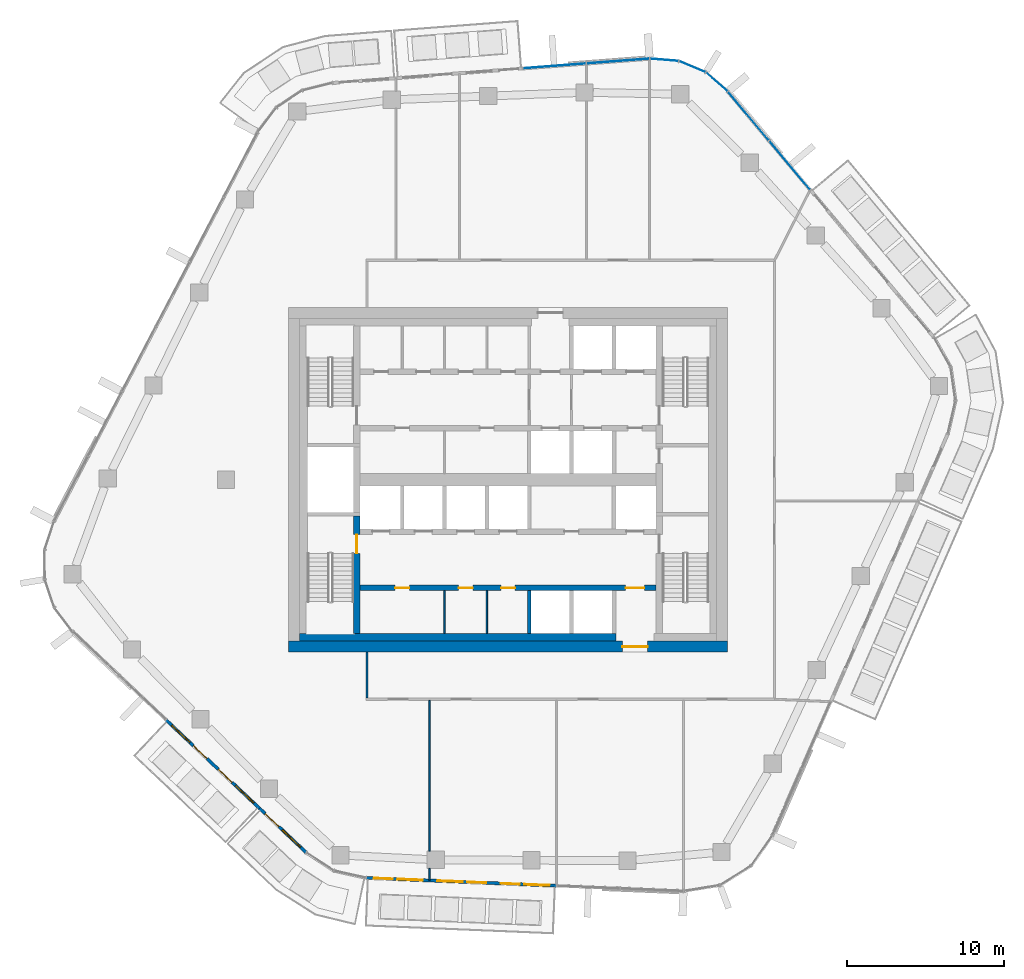
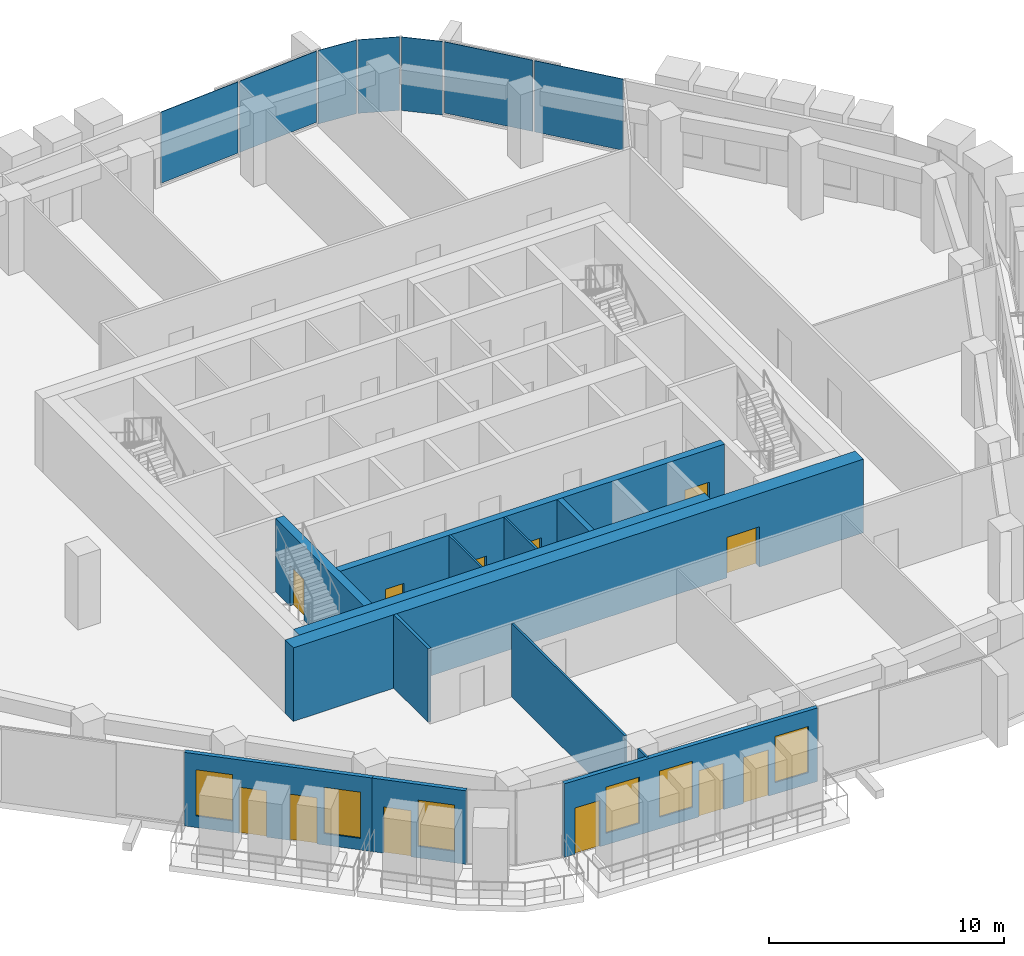
# One storey, part 10 of 20: 13 walls, 12 doors, 7 plates, 6 windows, 18 openings, 3 elements without a shape of their own.
"""IFC4 building model written with IfcOpenShell, lengths in metres."""

from ifc_helpers import new_model, si_unit, direction, frame, frame_2d, origin, origin_2d, place, context, subcontext, project, spatial, rectangle, extrude, material, layer, layer_set, type_object, element, fill, aggregate, save


model = new_model("IFC4")

# Units and contexts
model_context = context("Model", 3, precision=1e-05, world=origin(), true_north=direction((0.0, 1.0)))
body_context = subcontext(model_context, "Body", "Model", "MODEL_VIEW")
ifc_project = project(units=[si_unit("LENGTHUNIT", "METRE"), si_unit("AREAUNIT", "SQUARE_METRE"), si_unit("VOLUMEUNIT", "CUBIC_METRE"), si_unit("PLANEANGLEUNIT", "RADIAN"), si_unit("MASSUNIT", "GRAM", prefix="KILO")], contexts=[model_context])

# Site, building, storey
site_placement = place(None, origin())
site = spatial("IfcSite", under=ifc_project, at=site_placement, CompositionType="ELEMENT")
building_placement = place(site_placement, origin())
building = spatial("IfcBuilding", under=site, at=building_placement, Name="Dongbaek Canopy Tower", CompositionType="ELEMENT")
storey_placement = place(building_placement, frame((0.0, 0.0, 245.39990234375)))
storey = spatial("IfcBuildingStorey", under=building, at=storey_placement, Name="L51", CompositionType="ELEMENT", Elevation=245.39990234375)

# Curtain wall, plates
ifc_material_1 = material(Name="Aluminium 6063-T6 pale anodised", Category="aluminium")
ifc_layer_1 = layer(ifc_material_1, 0.199951171875)
ifc_layer_set_1 = layer_set([ifc_layer_1], Name="CW-1 unitised tower curtain wall")
curtain_wall_type = type_object("IfcCurtainWallType", Name="CW-1 unitised tower curtain wall", PredefinedType="NOTDEFINED", material=ifc_layer_set_1)
curtain_wall_1_placement = place(storey_placement, origin())
curtain_wall_1 = element("IfcCurtainWall", 1, at=curtain_wall_1_placement, inside=storey, type_object=curtain_wall_type, Name="CW-1 curtain wall F0.1", PredefinedType="NOTDEFINED")
ifc_material_2 = material(Name="Clear laminated glass", Category="glass")
ifc_layer_2 = layer(ifc_material_2, 0.028076171875)
ifc_layer_set_2 = layer_set([ifc_layer_2], Name="CW-1 glazed panel 28")
plate_type = type_object("IfcPlateType", Name="CW-1 glazed panel 28", PredefinedType="CURTAIN_PANEL", material=ifc_layer_set_2)
plate_1_placement = place(storey_placement, frame((17.961669921875, 20.06689453125, 0.1201171875), z_axis=(0.0, 0.0, 1.0), x_axis=(-0.64239310834, 0.766375296025, 0.0)))
plate_1 = element("IfcPlate", 2, at=plate_1_placement, type_object=plate_type, Name="CW-1 panel F0.1.1.1", PredefinedType="CURTAIN_PANEL", context=body_context, shape_type="SweptSolid", body=[
    extrude(rectangle(XDim=4.0107421875, YDim=0.028076171875, at=origin_2d()), origin(), (0.0, 0.0, 1.0), 3.699951171875),
])
plate_2_placement = place(storey_placement, frame((15.333984375, 23.201904296875, 0.1201171875), z_axis=(0.0, 0.0, 1.0), x_axis=(-0.64239310834, 0.766375296025, 0.0)))
plate_2 = element("IfcPlate", 3, at=plate_2_placement, type_object=plate_type, Name="CW-1 panel F0.1.2.1", PredefinedType="CURTAIN_PANEL", context=body_context, shape_type="SweptSolid", body=[
    extrude(rectangle(XDim=4.002685546875, YDim=0.028076171875, at=origin_2d()), origin(), (0.0, 0.0, 1.0), 3.699951171875),
])
aggregate(curtain_wall_1, [plate_1, plate_2])

curtain_wall_2_placement = place(storey_placement, origin())
curtain_wall_2 = element("IfcCurtainWall", 4, at=curtain_wall_2_placement, inside=storey, type_object=curtain_wall_type, Name="CW-1 curtain wall K1.1", PredefinedType="NOTDEFINED")
plate_3_placement = place(storey_placement, frame((13.316162109375, 25.3798828125, 0.0), z_axis=(0.0, 0.0, 1.0), x_axis=(-0.755169247449, 0.655529867899, 0.0)))
plate_3 = element("IfcPlate", 5, at=plate_3_placement, type_object=plate_type, Name="CW-1 panel K1.1.1.1", PredefinedType="CURTAIN_PANEL", context=body_context, shape_type="SweptSolid", body=[
    extrude(rectangle(XDim=1.78369140625, YDim=0.028076171875, at=origin_2d()), origin(), (0.0, 0.0, 1.0), 3.820068359375),
])
plate_4_placement = place(storey_placement, frame((11.753662109375, 26.352783203125, 0.0), z_axis=(0.0, 0.0, 1.0), x_axis=(-0.921724317139, 0.387845695084, 0.0)))
plate_4 = element("IfcPlate", 6, at=plate_4_placement, type_object=plate_type, Name="CW-1 panel K1.1.2.1", PredefinedType="CURTAIN_PANEL", context=body_context, shape_type="SweptSolid", body=[
    extrude(rectangle(XDim=1.775634765625, YDim=0.028076171875, at=origin_2d()), origin(), (0.0, 0.0, 1.0), 3.820068359375),
])
plate_5_placement = place(storey_placement, frame((9.966064453125, 26.78955078125, 0.0), z_axis=(0.0, 0.0, 1.0), x_axis=(-0.996664222618, 0.081611441315, 0.0)))
plate_5 = element("IfcPlate", 7, at=plate_5_placement, type_object=plate_type, Name="CW-1 panel K1.1.3.1", PredefinedType="CURTAIN_PANEL", context=body_context, shape_type="SweptSolid", body=[
    extrude(rectangle(XDim=1.78369140625, YDim=0.028076171875, at=origin_2d()), origin(), (0.0, 0.0, 1.0), 3.820068359375),
])
aggregate(curtain_wall_2, [plate_3, plate_4, plate_5])

curtain_wall_3_placement = place(storey_placement, origin())
curtain_wall_3 = element("IfcCurtainWall", 8, at=curtain_wall_3_placement, inside=storey, type_object=curtain_wall_type, Name="CW-1 curtain wall F1.1", PredefinedType="NOTDEFINED")
plate_6_placement = place(storey_placement, frame((7.0146484375, 26.710693359375, 0.1201171875), z_axis=(0.0, 0.0, 1.0), x_axis=(-0.997068179949, -0.076518262748, 0.0)))
plate_6 = element("IfcPlate", 9, at=plate_6_placement, type_object=plate_type, Name="CW-1 panel F1.1.1.1", PredefinedType="CURTAIN_PANEL", context=body_context, shape_type="SweptSolid", body=[
    extrude(rectangle(XDim=3.968994140625, YDim=0.028076171875, at=origin_2d()), origin(), (0.0, 0.0, 1.0), 3.699951171875),
])
plate_7_placement = place(storey_placement, frame((2.969482421875, 26.400390625, 0.1201171875), z_axis=(0.0, 0.0, 1.0), x_axis=(-0.997068179949, -0.076518262748, 0.0)))
plate_7 = element("IfcPlate", 10, at=plate_7_placement, type_object=plate_type, Name="CW-1 panel F1.1.2.1", PredefinedType="CURTAIN_PANEL", context=body_context, shape_type="SweptSolid", body=[
    extrude(rectangle(XDim=3.97705078125, YDim=0.028076171875, at=origin_2d()), origin(), (0.0, 0.0, 1.0), 3.699951171875),
])
aggregate(curtain_wall_3, [plate_6, plate_7])

# Wall, openings, doors
ifc_material_3 = material(Name="Concrete C60/75", Category="concrete")
ifc_layer_3 = layer(ifc_material_3, 0.35009765625)
ifc_layer_set_3 = layer_set([ifc_layer_3], Name="Core lobby wall 350 Concrete C60/75")
wall_type_1 = type_object("IfcWallType", Name="Core lobby wall 350 Concrete C60/75", PredefinedType="SHEAR", material=ifc_layer_set_3)
wall_1_placement = place(storey_placement, frame((9.449951171875, -6.89990234375, 0.0), z_axis=(0.0, 0.0, 1.0), x_axis=(-1.0, 0.0, 0.0)))
wall_1 = element("IfcWall", 11, at=wall_1_placement, inside=storey, type_object=wall_type_1, Name="Core wall", PredefinedType="SHEAR", context=body_context, shape_type="SweptSolid", body=[
    extrude(rectangle(XDim=18.89990234375, YDim=0.35009765625, at=frame_2d((9.449951171875, 0.0))), origin(), (0.0, 0.0, 1.0), 3.820068359375),
])
opening_1_placement = place(wall_1_placement, frame((0.75, 0.0, 0.0)))
opening_1 = element("IfcOpeningElement", 12, at=opening_1_placement, cuts=wall_1, Name="Opening L51-D025", PredefinedType="OPENING", context=body_context, shape_type="SweptSolid", body=[
    extrude(rectangle(XDim=1.199951171875, YDim=2.10009765625, at=frame_2d((0.60009765625, 1.050048828125))), frame((0.0, 0.18505859375, 0.0), z_axis=(0.0, -1.0, 0.0), x_axis=(1.0, 0.0, 0.0)), (0.0, 0.0, 1.0), 0.3701171875),
])
opening_2_placement = place(wall_1_placement, frame((15.75, 0.0, 0.0)))
opening_2 = element("IfcOpeningElement", 13, at=opening_2_placement, cuts=wall_1, Name="Opening L51-D033", PredefinedType="OPENING", context=body_context, shape_type="SweptSolid", body=[
    extrude(rectangle(XDim=0.89990234375, YDim=2.10009765625, at=frame_2d((0.449951171875, 1.050048828125))), frame((0.0, 0.18505859375, 0.0), z_axis=(0.0, -1.0, 0.0), x_axis=(1.0, 0.0, 0.0)), (0.0, 0.0, 1.0), 0.3701171875),
])
opening_3_placement = place(wall_1_placement, frame((11.699951171875, 0.0, 0.0)))
opening_3 = element("IfcOpeningElement", 14, at=opening_3_placement, cuts=wall_1, Name="Opening L51-D034", PredefinedType="OPENING", context=body_context, shape_type="SweptSolid", body=[
    extrude(rectangle(XDim=0.89990234375, YDim=2.10009765625, at=frame_2d((0.449951171875, 1.050048828125))), frame((0.0, 0.18505859375, 0.0), z_axis=(0.0, -1.0, 0.0), x_axis=(1.0, 0.0, 0.0)), (0.0, 0.0, 1.0), 0.3701171875),
])
opening_4_placement = place(wall_1_placement, frame((9.0, 0.0, 0.0)))
opening_4 = element("IfcOpeningElement", 15, at=opening_4_placement, cuts=wall_1, Name="Opening L51-D035", PredefinedType="OPENING", context=body_context, shape_type="SweptSolid", body=[
    extrude(rectangle(XDim=0.89990234375, YDim=2.10009765625, at=frame_2d((0.449951171875, 1.050048828125))), frame((0.0, 0.18505859375, 0.0), z_axis=(0.0, -1.0, 0.0), x_axis=(1.0, 0.0, 0.0)), (0.0, 0.0, 1.0), 0.3701171875),
])
ifc_material_4 = material(Name="Steel", Category="steel")
door_type_1 = type_object("IfcDoorType", Name="Core room door 900 x 2100", OperationType="SINGLE_SWING_LEFT", PredefinedType="DOOR", material=ifc_material_4)
door_1_placement = place(opening_2_placement, origin())
door_1 = element("IfcDoor", 16, at=door_1_placement, inside=storey, type_object=door_type_1, Name="Door L51-D033", OperationType="SINGLE_SWING_LEFT", OverallHeight=2.10009765625, OverallWidth=0.89990234375, PredefinedType="DOOR", context=body_context, shape_type="SweptSolid", body=[
    extrude(rectangle(XDim=0.89990234375, YDim=2.10009765625, at=frame_2d((0.449951171875, 1.050048828125))), frame((0.0, 0.02490234375, 0.0), z_axis=(0.0, -1.0, 0.0), x_axis=(1.0, 0.0, 0.0)), (0.0, 0.0, 1.0), 0.050048828125),
])
fill(opening_2, door_1)
door_2_placement = place(opening_3_placement, origin())
door_2 = element("IfcDoor", 17, at=door_2_placement, inside=storey, type_object=door_type_1, Name="Door L51-D034", OperationType="SINGLE_SWING_RIGHT", OverallHeight=2.10009765625, OverallWidth=0.89990234375, PredefinedType="DOOR", context=body_context, shape_type="SweptSolid", body=[
    extrude(rectangle(XDim=0.89990234375, YDim=2.10009765625, at=frame_2d((0.449951171875, 1.050048828125))), frame((0.0, 0.02490234375, 0.0), z_axis=(0.0, -1.0, 0.0), x_axis=(1.0, 0.0, 0.0)), (0.0, 0.0, 1.0), 0.050048828125),
])
fill(opening_3, door_2)
door_3_placement = place(opening_4_placement, origin())
door_3 = element("IfcDoor", 18, at=door_3_placement, inside=storey, type_object=door_type_1, Name="Door L51-D035", OperationType="SINGLE_SWING_LEFT", OverallHeight=2.10009765625, OverallWidth=0.89990234375, PredefinedType="DOOR", context=body_context, shape_type="SweptSolid", body=[
    extrude(rectangle(XDim=0.89990234375, YDim=2.10009765625, at=frame_2d((0.449951171875, 1.050048828125))), frame((0.0, 0.02490234375, 0.0), z_axis=(0.0, -1.0, 0.0), x_axis=(1.0, 0.0, 0.0)), (0.0, 0.0, 1.0), 0.050048828125),
])
fill(opening_4, door_3)
ifc_material_5 = material(Name="Steel", Category="steel")
door_type_2 = type_object("IfcDoorType", Name="Fire lobby door 1200 x 2100", OperationType="SINGLE_SWING_LEFT", PredefinedType="DOOR", material=ifc_material_5)
door_4_placement = place(opening_1_placement, origin())
door_4 = element("IfcDoor", 19, at=door_4_placement, inside=storey, type_object=door_type_2, Name="Door L51-D025", OperationType="SINGLE_SWING_LEFT", OverallHeight=2.10009765625, OverallWidth=1.199951171875, PredefinedType="DOOR", context=body_context, shape_type="SweptSolid", body=[
    extrude(rectangle(XDim=1.199951171875, YDim=2.10009765625, at=frame_2d((0.60009765625, 1.050048828125))), frame((0.0, 0.02490234375, 0.0), z_axis=(0.0, -1.0, 0.0), x_axis=(1.0, 0.0, 0.0)), (0.0, 0.0, 1.0), 0.050048828125),
])
fill(opening_1, door_4)

# Wall, opening, door
ifc_material_6 = material(Name="Concrete C70/85", Category="concrete")
ifc_layer_4 = layer(ifc_material_6, 0.699951171875)
ifc_layer_set_4 = layer_set([ifc_layer_4], Name="Core outer wall 700 Concrete C70/85")
wall_type_2 = type_object("IfcWallType", Name="Core outer wall 700 Concrete C70/85", PredefinedType="SHEAR", material=ifc_layer_set_4)
wall_2_placement = place(storey_placement, frame((14.0, -10.64990234375, 0.0), z_axis=(0.0, 0.0, 1.0), x_axis=(-1.0, 0.0, 0.0)))
wall_2 = element("IfcWall", 20, at=wall_2_placement, inside=storey, type_object=wall_type_2, Name="Core wall", PredefinedType="SHEAR", context=body_context, shape_type="SweptSolid", body=[
    extrude(rectangle(XDim=28.0, YDim=0.699951171875, at=frame_2d((14.0, 0.0))), origin(), (0.0, 0.0, 1.0), 3.820068359375),
])
opening_5_placement = place(wall_2_placement, frame((5.10009765625, 0.0, 0.0)))
opening_5 = element("IfcOpeningElement", 21, at=opening_5_placement, cuts=wall_2, Name="Opening L51-D024", PredefinedType="OPENING", context=body_context, shape_type="SweptSolid", body=[
    extrude(rectangle(XDim=1.60009765625, YDim=2.10009765625, at=frame_2d((0.800048828125, 1.050048828125))), frame((0.0, 0.35986328125, 0.0), z_axis=(0.0, -1.0, 0.0), x_axis=(1.0, 0.0, 0.0)), (0.0, 0.0, 1.0), 0.719970703125),
])
ifc_material_7 = material(Name="Steel", Category="steel")
door_type_3 = type_object("IfcDoorType", Name="Core exit door 1600 x 2100", OperationType="DOUBLE_DOOR_SINGLE_SWING", PredefinedType="DOOR", material=ifc_material_7)
door_5_placement = place(opening_5_placement, origin())
door_5 = element("IfcDoor", 22, at=door_5_placement, inside=storey, type_object=door_type_3, Name="Core exit door", OperationType="DOUBLE_DOOR_SINGLE_SWING", OverallHeight=2.10009765625, OverallWidth=1.60009765625, PredefinedType="DOOR", context=body_context, shape_type="SweptSolid", body=[
    extrude(rectangle(XDim=1.60009765625, YDim=2.10009765625, at=frame_2d((0.800048828125, 1.050048828125))), frame((0.0, 0.02490234375, 0.0), z_axis=(0.0, -1.0, 0.0), x_axis=(1.0, 0.0, 0.0)), (0.0, 0.0, 1.0), 0.050048828125),
])
fill(opening_5, door_5)

# Walls
ifc_material_8 = material(Name="Concrete C60/75", Category="concrete")
ifc_layer_5 = layer(ifc_material_8, 0.5)
ifc_layer_set_5 = layer_set([ifc_layer_5], Name="Core wall lining 500 Concrete C60/75")
wall_type_3 = type_object("IfcWallType", Name="Core wall lining 500 Concrete C60/75", PredefinedType="SHEAR", material=ifc_layer_set_5)
wall_3_placement = place(storey_placement, frame((6.89990234375, -10.050048828125, 0.0), z_axis=(0.0, 0.0, 1.0), x_axis=(-1.0, 0.0, 0.0)))
element("IfcWall", 23, at=wall_3_placement, inside=storey, type_object=wall_type_3, Name="Core wall lining", PredefinedType="SHEAR", context=body_context, shape_type="SweptSolid", body=[
    extrude(rectangle(XDim=20.199951171875, YDim=0.5, at=frame_2d((10.10009765625, 0.0))), origin(), (0.0, 0.0, 1.0), 3.820068359375),
])
ifc_material_9 = material(Name="Gypsum board partition, steel stud, 2 x 15 mm fire board", Category="steel")
ifc_layer_6 = layer(ifc_material_9, 0.14990234375)
ifc_layer_set_6 = layer_set([ifc_layer_6], Name="Fire-rated partition 150 gypsum board")
wall_type_4 = type_object("IfcWallType", Name="Fire-rated partition 150 gypsum board", PredefinedType="PARTITIONING", material=ifc_layer_set_6)
wall_4_placement = place(storey_placement, frame((-9.0, -13.925048828125, 0.0), z_axis=(0.0, 0.0, 1.0), x_axis=(0.0, 1.0, 0.0)))
element("IfcWall", 24, at=wall_4_placement, inside=storey, type_object=wall_type_4, Name="Corridor partition", PredefinedType="PARTITIONING", context=body_context, shape_type="SweptSolid", body=[
    extrude(rectangle(XDim=2.925048828125, YDim=0.14990234375, at=frame_2d((1.46240234375, 0.0))), origin(), (0.0, 0.0, 1.0), 3.820068359375),
])
ifc_material_10 = material(Name="Concrete C40/50", Category="concrete")
ifc_layer_7 = layer(ifc_material_10, 0.25)
ifc_layer_set_7 = layer_set([ifc_layer_7], Name="Lift shaft wall 250 Concrete C40/50")
wall_type_5 = type_object("IfcWallType", Name="Lift shaft wall 250 Concrete C40/50", PredefinedType="SOLIDWALL", material=ifc_layer_set_7)
wall_5_placement = place(storey_placement, frame((1.35009765625, -9.800048828125, 0.0), z_axis=(0.0, 0.0, 1.0), x_axis=(0.0, 1.0, 0.0)))
element("IfcWall", 25, at=wall_5_placement, inside=storey, type_object=wall_type_5, Name="Lift shaft wall", PredefinedType="SOLIDWALL", context=body_context, shape_type="SweptSolid", body=[
    extrude(rectangle(XDim=2.72509765625, YDim=0.25, at=frame_2d((1.362548828125, 0.0))), origin(), (0.0, 0.0, 1.0), 3.820068359375),
])
ifc_material_11 = material(Name="Gypsum board partition, steel stud, 2 x 12.5 mm board", Category="steel")
ifc_layer_8 = layer(ifc_material_11, 0.10009765625)
ifc_layer_set_8 = layer_set([ifc_layer_8], Name="Partition 100 gypsum board")
wall_type_6 = type_object("IfcWallType", Name="Partition 100 gypsum board", PredefinedType="PARTITIONING", material=ifc_layer_set_8)
wall_6_placement = place(storey_placement, frame((-5.001953125, -25.54296875, 0.0), z_axis=(0.0, 0.0, 1.0), x_axis=(0.0, 1.0, 0.0)))
element("IfcWall", 26, at=wall_6_placement, inside=storey, type_object=wall_type_6, Name="Partition", PredefinedType="PARTITIONING", context=body_context, shape_type="SweptSolid", body=[
    extrude(rectangle(XDim=0.7470703125, YDim=0.10009765625, at=frame_2d((0.37353515625, 0.0))), origin(), (0.0, 0.0, 1.0), 3.820068359375),
])
wall_7_placement = place(storey_placement, frame((-5.001953125, -23.696044921875, 0.0), z_axis=(0.0, 0.0, 1.0), x_axis=(0.0, 1.0, 0.0)))
element("IfcWall", 27, at=wall_7_placement, inside=storey, type_object=wall_type_6, Name="Partition", PredefinedType="PARTITIONING", context=body_context, shape_type="SweptSolid", body=[
    extrude(rectangle(XDim=9.62109375, YDim=0.10009765625, at=frame_2d((4.810546875, 0.0))), origin(), (0.0, 0.0, 1.0), 3.820068359375),
])
for number, where, z_axis, x_axis, name in (
    (28, (-1.35009765625, -9.800048828125, 0.0), (0.0, 0.0, 1.0), (0.0, 1.0, 0.0), "Core partition"),
    (29, (-4.050048828125, -9.800048828125, 0.0), (0.0, 0.0, 1.0), (0.0, 1.0, 0.0), "Core partition"),
):
    element("IfcWall", number, at=place(storey_placement, frame(where, z_axis=z_axis, x_axis=x_axis)), inside=storey, type_object=wall_type_6, Name=name, PredefinedType="PARTITIONING", context=body_context, shape_type="SweptSolid", body=[
        extrude(rectangle(XDim=2.72509765625, YDim=0.10009765625, at=frame_2d((1.362548828125, 0.0))), origin(), (0.0, 0.0, 1.0), 3.820068359375),
    ])

# Wall, opening, door
ifc_material_12 = material(Name="Concrete C60/75", Category="concrete")
ifc_layer_9 = layer(ifc_material_12, 0.39990234375)
ifc_layer_set_9 = layer_set([ifc_layer_9], Name="Stair wall 400 Concrete C60/75")
wall_type_7 = type_object("IfcWallType", Name="Stair wall 400 Concrete C60/75", PredefinedType="SHEAR", material=ifc_layer_set_9)
wall_8_placement = place(storey_placement, frame((-9.64990234375, -9.800048828125, 0.0), z_axis=(0.0, 0.0, 1.0), x_axis=(0.0, 1.0, 0.0)))
wall_8 = element("IfcWall", 30, at=wall_8_placement, inside=storey, type_object=wall_type_7, Name="Stair wall", PredefinedType="SHEAR", context=body_context, shape_type="SweptSolid", body=[
    extrude(rectangle(XDim=7.5, YDim=0.39990234375, at=frame_2d((3.75, 0.0))), origin(), (0.0, 0.0, 1.0), 3.820068359375),
])
opening_6_placement = place(wall_8_placement, frame((5.10009765625, 0.0, 0.0)))
opening_6 = element("IfcOpeningElement", 31, at=opening_6_placement, cuts=wall_8, Name="Opening L51-D039", PredefinedType="OPENING", context=body_context, shape_type="SweptSolid", body=[
    extrude(rectangle(XDim=1.199951171875, YDim=2.10009765625, at=frame_2d((0.60009765625, 1.050048828125))), frame((0.0, 0.2099609375, 0.0), z_axis=(0.0, -1.0, 0.0), x_axis=(1.0, 0.0, 0.0)), (0.0, 0.0, 1.0), 0.419921875),
])
ifc_material_13 = material(Name="Steel", Category="steel")
door_type_4 = type_object("IfcDoorType", Name="Stair door 1200 x 2100", OperationType="SINGLE_SWING_LEFT", PredefinedType="DOOR", material=ifc_material_13)
door_6_placement = place(opening_6_placement, origin())
door_6 = element("IfcDoor", 32, at=door_6_placement, inside=storey, type_object=door_type_4, Name="Stair D door", OperationType="SINGLE_SWING_LEFT", OverallHeight=2.10009765625, OverallWidth=1.199951171875, PredefinedType="DOOR", context=body_context, shape_type="SweptSolid", body=[
    extrude(rectangle(XDim=1.199951171875, YDim=2.10009765625, at=frame_2d((0.60009765625, 1.050048828125))), frame((0.0, 0.02490234375, 0.0), z_axis=(0.0, -1.0, 0.0), x_axis=(1.0, 0.0, 0.0)), (0.0, 0.0, 1.0), 0.050048828125),
])
fill(opening_6, door_6)

# Wall, openings, doors, windows
ifc_material_14 = material(Name="Aluminium window wall", Category="aluminium")
ifc_layer_10 = layer(ifc_material_14, 0.199951171875)
ifc_layer_set_10 = layer_set([ifc_layer_10], Name="Window wall 200")
wall_type_8 = type_object("IfcWallType", Name="Window wall 200", PredefinedType="SOLIDWALL", material=ifc_layer_set_10)
wall_9_placement = place(storey_placement, frame((-21.822998046875, -15.315185546875, 0.0), z_axis=(0.0, 0.0, 1.0), x_axis=(0.72637578777, -0.68729776294, 0.0)))
wall_9 = element("IfcWall", 33, at=wall_9_placement, inside=storey, type_object=wall_type_8, Name="Window wall L51 3", PredefinedType="SOLIDWALL", context=body_context, shape_type="SweptSolid", body=[
    extrude(rectangle(XDim=8.215576171875, YDim=0.199951171875, at=frame_2d((4.10791015625, 0.0))), origin(), (0.0, 0.0, 1.0), 3.820068359375),
])
opening_7_placement = place(wall_9_placement, frame((0.5, 0.0, 0.60009765625)))
opening_7 = element("IfcOpeningElement", 34, at=opening_7_placement, cuts=wall_9, Name="Opening W1", PredefinedType="OPENING", context=body_context, shape_type="SweptSolid", body=[
    extrude(rectangle(XDim=1.60009765625, YDim=2.39990234375, at=frame_2d((0.800048828125, 1.199951171875))), frame((0.0, 0.10986328125, 0.0), z_axis=(0.0, -1.0, 0.0), x_axis=(1.0, 0.0, 0.0)), (0.0, 0.0, 1.0), 0.219970703125),
])
opening_8_placement = place(wall_9_placement, frame((2.39990234375, 0.0, 0.0)))
opening_8 = element("IfcOpeningElement", 35, at=opening_8_placement, cuts=wall_9, Name="Opening L51-B07", PredefinedType="OPENING", context=body_context, shape_type="SweptSolid", body=[
    extrude(rectangle(XDim=1.199951171875, YDim=2.39990234375, at=frame_2d((0.60009765625, 1.199951171875))), frame((0.0, 0.10986328125, 0.0), z_axis=(0.0, -1.0, 0.0), x_axis=(1.0, 0.0, 0.0)), (0.0, 0.0, 1.0), 0.219970703125),
])
opening_9_placement = place(wall_9_placement, frame((6.107666015625, 0.0, 0.60009765625)))
opening_9 = element("IfcOpeningElement", 36, at=opening_9_placement, cuts=wall_9, Name="Opening W1", PredefinedType="OPENING", context=body_context, shape_type="SweptSolid", body=[
    extrude(rectangle(XDim=1.60009765625, YDim=2.39990234375, at=frame_2d((0.800048828125, 1.199951171875))), frame((0.0, 0.10986328125, 0.0), z_axis=(0.0, -1.0, 0.0), x_axis=(1.0, 0.0, 0.0)), (0.0, 0.0, 1.0), 0.219970703125),
])
opening_10_placement = place(wall_9_placement, frame((4.607666015625, 0.0, 0.0)))
opening_10 = element("IfcOpeningElement", 37, at=opening_10_placement, cuts=wall_9, Name="Opening L51-B08", PredefinedType="OPENING", context=body_context, shape_type="SweptSolid", body=[
    extrude(rectangle(XDim=1.199951171875, YDim=2.39990234375, at=frame_2d((0.60009765625, 1.199951171875))), frame((0.0, 0.10986328125, 0.0), z_axis=(0.0, -1.0, 0.0), x_axis=(1.0, 0.0, 0.0)), (0.0, 0.0, 1.0), 0.219970703125),
])
ifc_material_15 = material(Name="Clear glazing in aluminium frame", Category="aluminium")
door_type_5 = type_object("IfcDoorType", Name="Balcony door BD1 1200 x 2400", OperationType="SLIDING_TO_LEFT", PredefinedType="DOOR", material=ifc_material_15)
door_7_placement = place(opening_8_placement, origin())
door_7 = element("IfcDoor", 38, at=door_7_placement, inside=storey, type_object=door_type_5, Name="Balcony door L51-B07", OperationType="SLIDING_TO_LEFT", OverallHeight=2.39990234375, OverallWidth=1.199951171875, PredefinedType="DOOR", context=body_context, shape_type="SweptSolid", body=[
    extrude(rectangle(XDim=1.199951171875, YDim=2.39990234375, at=frame_2d((0.60009765625, 1.199951171875))), frame((0.0, 0.02490234375, 0.0), z_axis=(0.0, -1.0, 0.0), x_axis=(1.0, 0.0, 0.0)), (0.0, 0.0, 1.0), 0.050048828125),
])
fill(opening_8, door_7)
door_8_placement = place(opening_10_placement, origin())
door_8 = element("IfcDoor", 39, at=door_8_placement, inside=storey, type_object=door_type_5, Name="Balcony door L51-B08", OperationType="SLIDING_TO_LEFT", OverallHeight=2.39990234375, OverallWidth=1.199951171875, PredefinedType="DOOR", context=body_context, shape_type="SweptSolid", body=[
    extrude(rectangle(XDim=1.199951171875, YDim=2.39990234375, at=frame_2d((0.60009765625, 1.199951171875))), frame((0.0, 0.02490234375, 0.0), z_axis=(0.0, -1.0, 0.0), x_axis=(1.0, 0.0, 0.0)), (0.0, 0.0, 1.0), 0.050048828125),
])
fill(opening_10, door_8)
ifc_material_16 = material(Name="Clear glazing in aluminium frame", Category="aluminium")
window_type = type_object("IfcWindowType", Name="Window W1 1600 x 2400", PartitioningType="SINGLE_PANEL", PredefinedType="WINDOW", material=ifc_material_16)
window_1_placement = place(opening_7_placement, origin())
window_1 = element("IfcWindow", 40, at=window_1_placement, inside=storey, type_object=window_type, Name="Window L51 3.1", OverallHeight=2.39990234375, OverallWidth=1.60009765625, PartitioningType="SINGLE_PANEL", PredefinedType="WINDOW", context=body_context, shape_type="SweptSolid", body=[
    extrude(rectangle(XDim=1.60009765625, YDim=2.39990234375, at=frame_2d((0.800048828125, 1.199951171875))), frame((0.0, 0.030029296875, 0.0), z_axis=(0.0, -1.0, 0.0), x_axis=(1.0, 0.0, 0.0)), (0.0, 0.0, 1.0), 0.06005859375),
])
fill(opening_7, window_1)
window_2_placement = place(opening_9_placement, origin())
window_2 = element("IfcWindow", 41, at=window_2_placement, inside=storey, type_object=window_type, Name="Window L51 3.2", OverallHeight=2.39990234375, OverallWidth=1.60009765625, PartitioningType="SINGLE_PANEL", PredefinedType="WINDOW", context=body_context, shape_type="SweptSolid", body=[
    extrude(rectangle(XDim=1.60009765625, YDim=2.39990234375, at=frame_2d((0.800048828125, 1.199951171875))), frame((0.0, 0.030029296875, 0.0), z_axis=(0.0, -1.0, 0.0), x_axis=(1.0, 0.0, 0.0)), (0.0, 0.0, 1.0), 0.06005859375),
])
fill(opening_9, window_2)

# Wall, openings, door, window
wall_10_placement = place(storey_placement, frame((-15.85546875, -20.961669921875, 0.0), z_axis=(0.0, 0.0, 1.0), x_axis=(0.726345438905, -0.687329835946, 0.0)))
wall_10 = element("IfcWall", 42, at=wall_10_placement, inside=storey, type_object=wall_type_8, Name="Window wall L51 8", PredefinedType="SOLIDWALL", context=body_context, shape_type="SweptSolid", body=[
    extrude(rectangle(XDim=4.0986328125, YDim=0.199951171875, at=frame_2d((2.04931640625, 0.0))), origin(), (0.0, 0.0, 1.0), 3.820068359375),
])
opening_11_placement = place(wall_10_placement, frame((2.0, 0.0, 0.60009765625)))
opening_11 = element("IfcOpeningElement", 43, at=opening_11_placement, cuts=wall_10, Name="Opening W1", PredefinedType="OPENING", context=body_context, shape_type="SweptSolid", body=[
    extrude(rectangle(XDim=1.60009765625, YDim=2.39990234375, at=frame_2d((0.800048828125, 1.199951171875))), frame((0.0, 0.10986328125, 0.0), z_axis=(0.0, -1.0, 0.0), x_axis=(1.0, 0.0, 0.0)), (0.0, 0.0, 1.0), 0.219970703125),
])
opening_12_placement = place(wall_10_placement, frame((0.5, 0.0, 0.0)))
opening_12 = element("IfcOpeningElement", 44, at=opening_12_placement, cuts=wall_10, Name="Opening L51-B09", PredefinedType="OPENING", context=body_context, shape_type="SweptSolid", body=[
    extrude(rectangle(XDim=1.199951171875, YDim=2.39990234375, at=frame_2d((0.60009765625, 1.199951171875))), frame((0.0, 0.10986328125, 0.0), z_axis=(0.0, -1.0, 0.0), x_axis=(1.0, 0.0, 0.0)), (0.0, 0.0, 1.0), 0.219970703125),
])
door_9_placement = place(opening_12_placement, origin())
door_9 = element("IfcDoor", 45, at=door_9_placement, inside=storey, type_object=door_type_5, Name="Balcony door L51-B09", OperationType="SLIDING_TO_LEFT", OverallHeight=2.39990234375, OverallWidth=1.199951171875, PredefinedType="DOOR", context=body_context, shape_type="SweptSolid", body=[
    extrude(rectangle(XDim=1.199951171875, YDim=2.39990234375, at=frame_2d((0.60009765625, 1.199951171875))), frame((0.0, 0.02490234375, 0.0), z_axis=(0.0, -1.0, 0.0), x_axis=(1.0, 0.0, 0.0)), (0.0, 0.0, 1.0), 0.050048828125),
])
fill(opening_12, door_9)
window_3_placement = place(opening_11_placement, origin())
window_3 = element("IfcWindow", 46, at=window_3_placement, inside=storey, type_object=window_type, Name="Window L51 8.1", OverallHeight=2.39990234375, OverallWidth=1.60009765625, PartitioningType="SINGLE_PANEL", PredefinedType="WINDOW", context=body_context, shape_type="SweptSolid", body=[
    extrude(rectangle(XDim=1.60009765625, YDim=2.39990234375, at=frame_2d((0.800048828125, 1.199951171875))), frame((0.0, 0.030029296875, 0.0), z_axis=(0.0, -1.0, 0.0), x_axis=(1.0, 0.0, 0.0)), (0.0, 0.0, 1.0), 0.06005859375),
])
fill(opening_11, window_3)

# Wall, openings, doors, windows
wall_11_placement = place(storey_placement, frame((-9.052490234375, -25.394775390625, 0.0), z_axis=(0.0, 0.0, 1.0), x_axis=(0.999139463312, -0.041476895419, 0.0)))
wall_11 = element("IfcWall", 47, at=wall_11_placement, inside=storey, type_object=wall_type_8, Name="Window wall L51 4", PredefinedType="SOLIDWALL", context=body_context, shape_type="SweptSolid", body=[
    extrude(rectangle(XDim=12.160888671875, YDim=0.199951171875, at=frame_2d((6.08056640625, 0.0))), origin(), (0.0, 0.0, 1.0), 3.820068359375),
])
opening_13_placement = place(wall_11_placement, frame((2.0, 0.0, 0.60009765625)))
opening_13 = element("IfcOpeningElement", 48, at=opening_13_placement, cuts=wall_11, Name="Opening W1", PredefinedType="OPENING", context=body_context, shape_type="SweptSolid", body=[
    extrude(rectangle(XDim=1.60009765625, YDim=2.39990234375, at=frame_2d((0.800048828125, 1.199951171875))), frame((0.0, 0.10986328125, 0.0), z_axis=(0.0, -1.0, 0.0), x_axis=(1.0, 0.0, 0.0)), (0.0, 0.0, 1.0), 0.219970703125),
])
opening_14_placement = place(wall_11_placement, frame((0.5, 0.0, 0.0)))
opening_14 = element("IfcOpeningElement", 49, at=opening_14_placement, cuts=wall_11, Name="Opening L51-B10", PredefinedType="OPENING", context=body_context, shape_type="SweptSolid", body=[
    extrude(rectangle(XDim=1.199951171875, YDim=2.39990234375, at=frame_2d((0.60009765625, 1.199951171875))), frame((0.0, 0.10986328125, 0.0), z_axis=(0.0, -1.0, 0.0), x_axis=(1.0, 0.0, 0.0)), (0.0, 0.0, 1.0), 0.219970703125),
])
opening_15_placement = place(wall_11_placement, frame((4.5537109375, 0.0, 0.60009765625)))
opening_15 = element("IfcOpeningElement", 50, at=opening_15_placement, cuts=wall_11, Name="Opening W1", PredefinedType="OPENING", context=body_context, shape_type="SweptSolid", body=[
    extrude(rectangle(XDim=1.60009765625, YDim=2.39990234375, at=frame_2d((0.800048828125, 1.199951171875))), frame((0.0, 0.10986328125, 0.0), z_axis=(0.0, -1.0, 0.0), x_axis=(1.0, 0.0, 0.0)), (0.0, 0.0, 1.0), 0.219970703125),
])
opening_16_placement = place(wall_11_placement, frame((6.45361328125, 0.0, 0.0)))
opening_16 = element("IfcOpeningElement", 51, at=opening_16_placement, cuts=wall_11, Name="Opening L51-B11", PredefinedType="OPENING", context=body_context, shape_type="SweptSolid", body=[
    extrude(rectangle(XDim=1.199951171875, YDim=2.39990234375, at=frame_2d((0.60009765625, 1.199951171875))), frame((0.0, 0.10986328125, 0.0), z_axis=(0.0, -1.0, 0.0), x_axis=(1.0, 0.0, 0.0)), (0.0, 0.0, 1.0), 0.219970703125),
])
opening_17_placement = place(wall_11_placement, frame((10.107177734375, 0.0, 0.60009765625)))
opening_17 = element("IfcOpeningElement", 52, at=opening_17_placement, cuts=wall_11, Name="Opening W1", PredefinedType="OPENING", context=body_context, shape_type="SweptSolid", body=[
    extrude(rectangle(XDim=1.60009765625, YDim=2.39990234375, at=frame_2d((0.800048828125, 1.199951171875))), frame((0.0, 0.10986328125, 0.0), z_axis=(0.0, -1.0, 0.0), x_axis=(1.0, 0.0, 0.0)), (0.0, 0.0, 1.0), 0.219970703125),
])
opening_18_placement = place(wall_11_placement, frame((8.607177734375, 0.0, 0.0)))
opening_18 = element("IfcOpeningElement", 53, at=opening_18_placement, cuts=wall_11, Name="Opening L51-B12", PredefinedType="OPENING", context=body_context, shape_type="SweptSolid", body=[
    extrude(rectangle(XDim=1.199951171875, YDim=2.39990234375, at=frame_2d((0.60009765625, 1.199951171875))), frame((0.0, 0.10986328125, 0.0), z_axis=(0.0, -1.0, 0.0), x_axis=(1.0, 0.0, 0.0)), (0.0, 0.0, 1.0), 0.219970703125),
])
door_10_placement = place(opening_14_placement, origin())
door_10 = element("IfcDoor", 54, at=door_10_placement, inside=storey, type_object=door_type_5, Name="Balcony door L51-B10", OperationType="SLIDING_TO_LEFT", OverallHeight=2.39990234375, OverallWidth=1.199951171875, PredefinedType="DOOR", context=body_context, shape_type="SweptSolid", body=[
    extrude(rectangle(XDim=1.199951171875, YDim=2.39990234375, at=frame_2d((0.60009765625, 1.199951171875))), frame((0.0, 0.02490234375, 0.0), z_axis=(0.0, -1.0, 0.0), x_axis=(1.0, 0.0, 0.0)), (0.0, 0.0, 1.0), 0.050048828125),
])
fill(opening_14, door_10)
door_11_placement = place(opening_16_placement, origin())
door_11 = element("IfcDoor", 55, at=door_11_placement, inside=storey, type_object=door_type_5, Name="Balcony door L51-B11", OperationType="SLIDING_TO_LEFT", OverallHeight=2.39990234375, OverallWidth=1.199951171875, PredefinedType="DOOR", context=body_context, shape_type="SweptSolid", body=[
    extrude(rectangle(XDim=1.199951171875, YDim=2.39990234375, at=frame_2d((0.60009765625, 1.199951171875))), frame((0.0, 0.02490234375, 0.0), z_axis=(0.0, -1.0, 0.0), x_axis=(1.0, 0.0, 0.0)), (0.0, 0.0, 1.0), 0.050048828125),
])
fill(opening_16, door_11)
door_12_placement = place(opening_18_placement, origin())
door_12 = element("IfcDoor", 56, at=door_12_placement, inside=storey, type_object=door_type_5, Name="Balcony door L51-B12", OperationType="SLIDING_TO_LEFT", OverallHeight=2.39990234375, OverallWidth=1.199951171875, PredefinedType="DOOR", context=body_context, shape_type="SweptSolid", body=[
    extrude(rectangle(XDim=1.199951171875, YDim=2.39990234375, at=frame_2d((0.60009765625, 1.199951171875))), frame((0.0, 0.02490234375, 0.0), z_axis=(0.0, -1.0, 0.0), x_axis=(1.0, 0.0, 0.0)), (0.0, 0.0, 1.0), 0.050048828125),
])
fill(opening_18, door_12)
window_4_placement = place(opening_13_placement, origin())
window_4 = element("IfcWindow", 57, at=window_4_placement, inside=storey, type_object=window_type, Name="Window L51 4.1", OverallHeight=2.39990234375, OverallWidth=1.60009765625, PartitioningType="SINGLE_PANEL", PredefinedType="WINDOW", context=body_context, shape_type="SweptSolid", body=[
    extrude(rectangle(XDim=1.60009765625, YDim=2.39990234375, at=frame_2d((0.800048828125, 1.199951171875))), frame((0.0, 0.030029296875, 0.0), z_axis=(0.0, -1.0, 0.0), x_axis=(1.0, 0.0, 0.0)), (0.0, 0.0, 1.0), 0.06005859375),
])
fill(opening_13, window_4)
window_5_placement = place(opening_15_placement, origin())
window_5 = element("IfcWindow", 58, at=window_5_placement, inside=storey, type_object=window_type, Name="Window L51 4.2", OverallHeight=2.39990234375, OverallWidth=1.60009765625, PartitioningType="SINGLE_PANEL", PredefinedType="WINDOW", context=body_context, shape_type="SweptSolid", body=[
    extrude(rectangle(XDim=1.60009765625, YDim=2.39990234375, at=frame_2d((0.800048828125, 1.199951171875))), frame((0.0, 0.030029296875, 0.0), z_axis=(0.0, -1.0, 0.0), x_axis=(1.0, 0.0, 0.0)), (0.0, 0.0, 1.0), 0.06005859375),
])
fill(opening_15, window_5)
window_6_placement = place(opening_17_placement, origin())
window_6 = element("IfcWindow", 59, at=window_6_placement, inside=storey, type_object=window_type, Name="Window L51 4.3", OverallHeight=2.39990234375, OverallWidth=1.60009765625, PartitioningType="SINGLE_PANEL", PredefinedType="WINDOW", context=body_context, shape_type="SweptSolid", body=[
    extrude(rectangle(XDim=1.60009765625, YDim=2.39990234375, at=frame_2d((0.800048828125, 1.199951171875))), frame((0.0, 0.030029296875, 0.0), z_axis=(0.0, -1.0, 0.0), x_axis=(1.0, 0.0, 0.0)), (0.0, 0.0, 1.0), 0.06005859375),
])
fill(opening_17, window_6)

save(model, "model.ifc")
